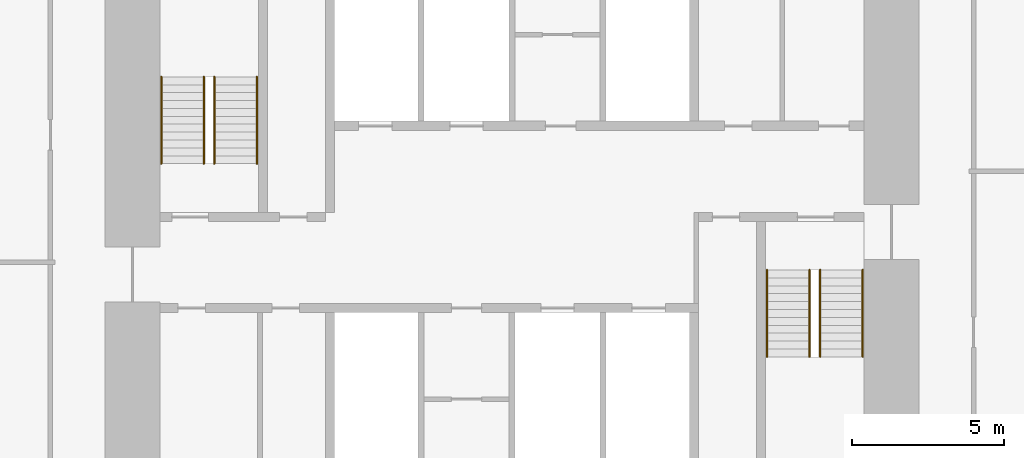
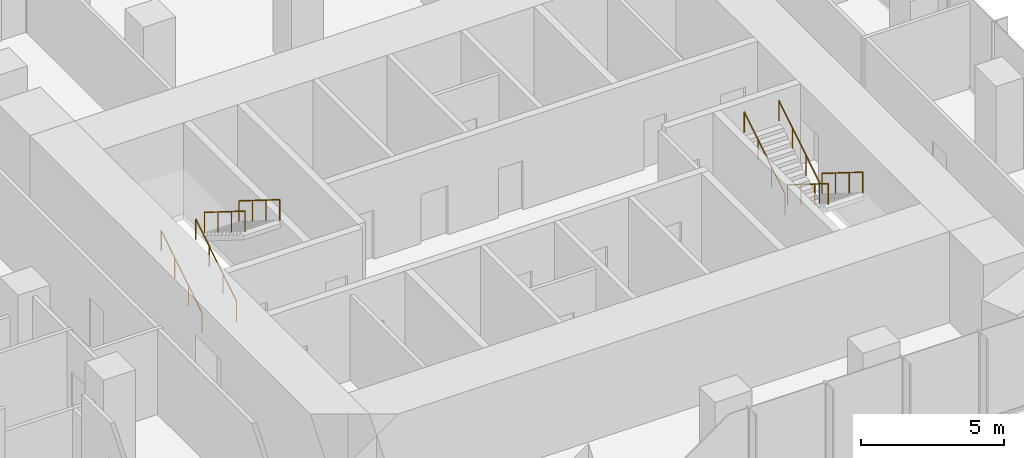
# One storey, part 11 of 11: 8 railings.
"""IFC4 building model written with IfcOpenShell, lengths in metres."""

from ifc_helpers import new_model, si_unit, direction, frame, origin, origin_2d, place, context, subcontext, project, spatial, circle, extrude, material, type_object, element, save


model = new_model("IFC4")

# Units and contexts
model_context = context("Model", 3, precision=1e-05, world=origin(), true_north=direction((0.0, 1.0)))
body_context = subcontext(model_context, "Body", "Model", "MODEL_VIEW")
ifc_project = project(units=[si_unit("LENGTHUNIT", "METRE"), si_unit("AREAUNIT", "SQUARE_METRE"), si_unit("VOLUMEUNIT", "CUBIC_METRE"), si_unit("PLANEANGLEUNIT", "RADIAN"), si_unit("MASSUNIT", "GRAM", prefix="KILO")], contexts=[model_context])

# Site, building, storey
site_placement = place(None, origin())
site = spatial("IfcSite", under=ifc_project, at=site_placement, CompositionType="ELEMENT")
building_placement = place(site_placement, origin())
building = spatial("IfcBuilding", under=site, at=building_placement, Name="Highveld Stack Headquarters", CompositionType="ELEMENT")
storey_placement = place(building_placement, frame((0.0, 0.0, 200.60009765625)))
storey = spatial("IfcBuildingStorey", under=building, at=storey_placement, Name="L49", CompositionType="ELEMENT", Elevation=200.60009765625)

# Railings
ifc_material = material(Name="Stainless steel handrail", Category="steel")
railing_type = type_object("IfcRailingType", Name="STAIR HANDRAIL HR1 900", PredefinedType="HANDRAIL", material=ifc_material)
for number, where, name in (
    (1, (-5.550048828125, 4.75, 0.162353515625), "Handrail S1 L49 flight 1"),
    (2, (-4.14990234375, 4.75, 0.162353515625), "Handrail S1 L49 flight 1"),
):
    element("IfcRailing", number, at=place(storey_placement, frame(where)), inside=storey, type_object=railing_type, Name=name, PredefinedType="HANDRAIL", context=body_context, shape_type="SweptSolid", body=[
        extrude(circle(Radius=0.02392578125, at=origin_2d()), frame((0.0, 0.0, 0.8759765625), z_axis=(0.0, 0.847994237388, 0.530005446535), x_axis=(-1.0, 0.0, 0.0)), (0.0, 0.0, 1.0), 3.372802734375),
        extrude(circle(Radius=0.02099609375, at=origin_2d()), origin(), (0.0, 0.0, 1.0), 0.851806640625),
        extrude(circle(Radius=0.02099609375, at=origin_2d()), frame((0.0, 0.953369140625, 0.595947265625)), (0.0, 0.0, 1.0), 0.851806640625),
        extrude(circle(Radius=0.02099609375, at=origin_2d()), frame((0.0, 1.90673828125, 1.191650390625)), (0.0, 0.0, 1.0), 0.851806640625),
        extrude(circle(Radius=0.02099609375, at=origin_2d()), frame((0.0, 2.860107421875, 1.78759765625)), (0.0, 0.0, 1.0), 0.851806640625),
    ])
for number, where, name in (
    (3, (-3.800048828125, 7.610107421875, 2.1123046875), "Handrail S1 L49 flight 2"),
    (4, (-2.39990234375, 7.610107421875, 2.1123046875), "Handrail S1 L49 flight 2"),
    (5, (16.14990234375, 1.25, 0.162353515625), "Handrail S2 L49 flight 1"),
    (6, (17.550048828125, 1.25, 0.162353515625), "Handrail S2 L49 flight 1"),
):
    element("IfcRailing", number, at=place(storey_placement, frame(where)), inside=storey, type_object=railing_type, Name=name, PredefinedType="HANDRAIL", context=body_context, shape_type="SweptSolid", body=[
        extrude(circle(Radius=0.02392578125, at=origin_2d()), frame((0.0, 0.0, 0.8759765625), z_axis=(0.0, -0.847994237388, 0.530005446535), x_axis=(1.0, 0.0, 0.0)), (0.0, 0.0, 1.0), 3.372802734375),
        extrude(circle(Radius=0.02099609375, at=origin_2d()), origin(), (0.0, 0.0, 1.0), 0.851806640625),
        extrude(circle(Radius=0.02099609375, at=origin_2d()), frame((0.0, -0.953369140625, 0.595947265625)), (0.0, 0.0, 1.0), 0.851806640625),
        extrude(circle(Radius=0.02099609375, at=origin_2d()), frame((0.0, -1.90673828125, 1.191650390625)), (0.0, 0.0, 1.0), 0.851806640625),
        extrude(circle(Radius=0.02099609375, at=origin_2d()), frame((0.0, -2.860107421875, 1.78759765625)), (0.0, 0.0, 1.0), 0.851806640625),
    ])
for number, where, name in (
    (7, (14.39990234375, -1.610107421875, 2.1123046875), "Handrail S2 L49 flight 2"),
    (8, (15.800048828125, -1.610107421875, 2.1123046875), "Handrail S2 L49 flight 2"),
):
    element("IfcRailing", number, at=place(storey_placement, frame(where)), inside=storey, type_object=railing_type, Name=name, PredefinedType="HANDRAIL", context=body_context, shape_type="SweptSolid", body=[
        extrude(circle(Radius=0.02392578125, at=origin_2d()), frame((0.0, 0.0, 0.8759765625), z_axis=(0.0, 0.847994237388, 0.530005446535), x_axis=(-1.0, 0.0, 0.0)), (0.0, 0.0, 1.0), 3.372802734375),
        extrude(circle(Radius=0.02099609375, at=origin_2d()), origin(), (0.0, 0.0, 1.0), 0.851806640625),
        extrude(circle(Radius=0.02099609375, at=origin_2d()), frame((0.0, 0.953369140625, 0.595947265625)), (0.0, 0.0, 1.0), 0.851806640625),
        extrude(circle(Radius=0.02099609375, at=origin_2d()), frame((0.0, 1.90673828125, 1.191650390625)), (0.0, 0.0, 1.0), 0.851806640625),
        extrude(circle(Radius=0.02099609375, at=origin_2d()), frame((0.0, 2.860107421875, 1.78759765625)), (0.0, 0.0, 1.0), 0.851806640625),
    ])

save(model, "model.ifc")
